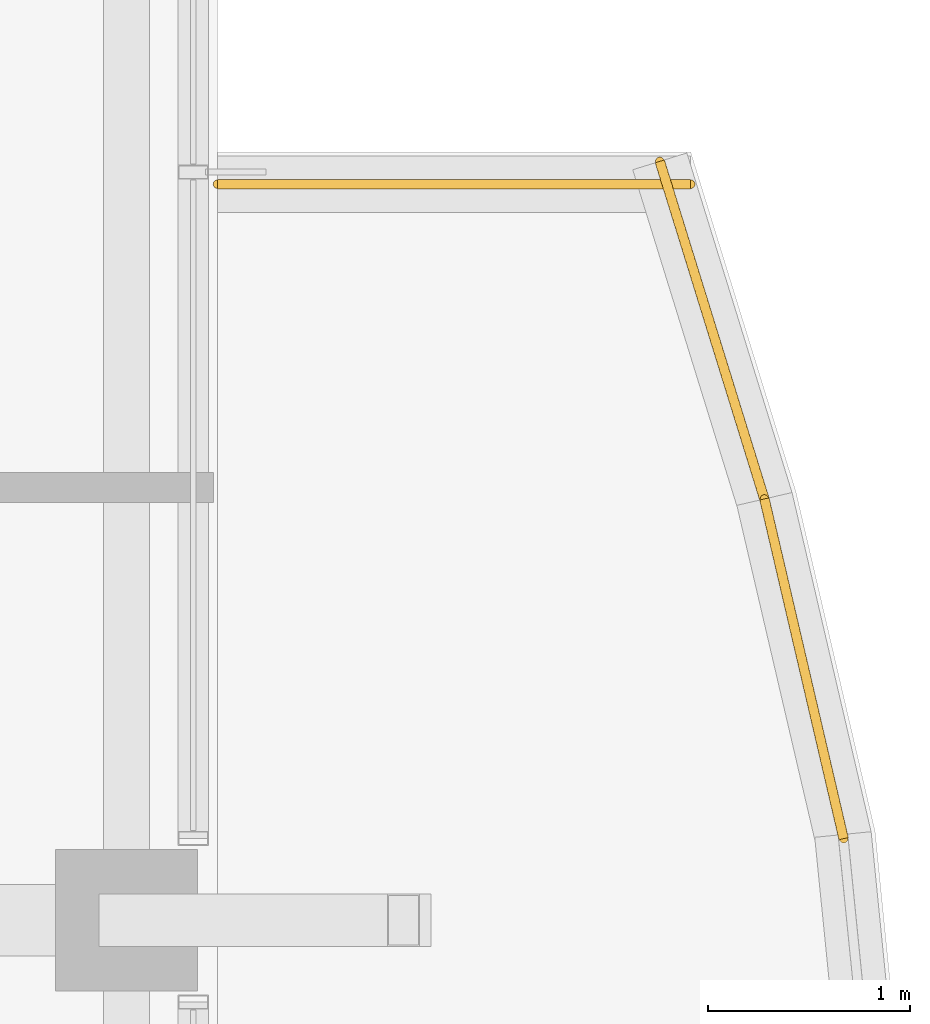
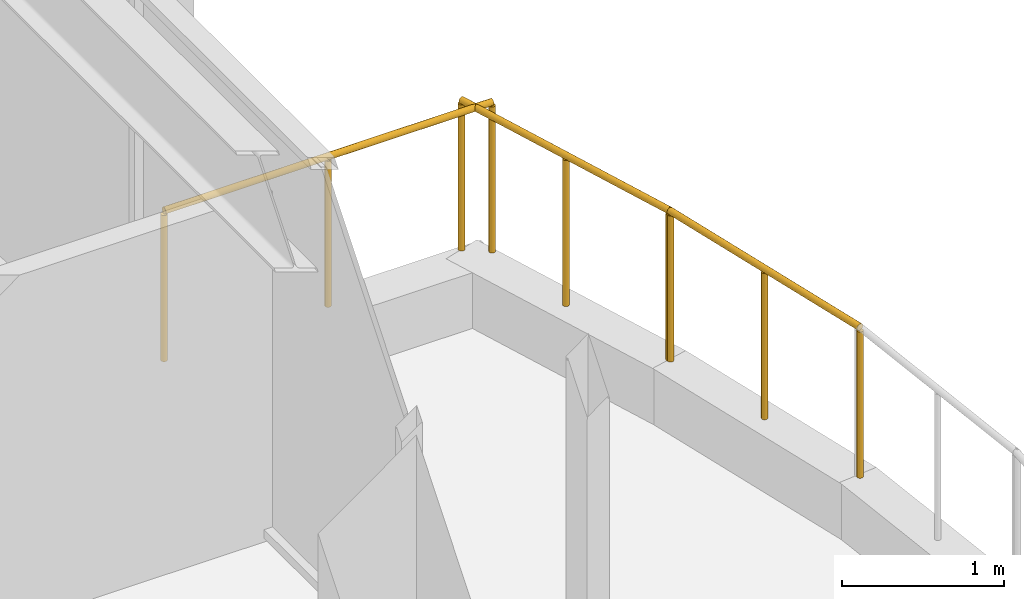
# One storey, part 29 of 29: 3 railings.
"""IFC4 building model written with IfcOpenShell, lengths in metres."""

import ifcopenshell
import ifcopenshell.guid

model = None  # the IFC model being written
_history = None  # IfcOwnerHistory: only IFC2X3 demands one
_inside = {}  # id of a spatial element -> (the spatial element, [elements in it])
_under = {}  # id of a project, library or spatial element -> (it, [spatial elements below it])
_declared = {}  # id of a project -> (the project, [libraries it declares])
_typed = {}  # id of a type object -> (the type object, [elements of that type])
_made_of = {}  # id of a material, layer set ... -> (it, [elements and type objects made of it])


def new_model(schema):
    """Start an empty IFC model of exactly this schema.

    Asked for "IFC4X3", IfcOpenShell would pick the latest addendum, in which some entities
    have other attributes; the version numbers below select the first issue.
    IFC2X3 requires an IfcOwnerHistory on every rooted entity: one is made here for all.
    """
    global model, _history
    if schema == "IFC4X3":
        model = ifcopenshell.file(schema_version=(4, 3, 0, 0))
    else:
        model = ifcopenshell.file(schema=schema)
    _inside.clear()
    _under.clear()
    _declared.clear()
    _typed.clear()
    _made_of.clear()
    _history = None
    if model.schema == "IFC2X3":
        org = make("IfcOrganization", Name="unknown")
        user = make(
            "IfcPersonAndOrganization",
            ThePerson=make("IfcPerson", FamilyName="unknown"),
            TheOrganization=org,
        )
        app = make(
            "IfcApplication",
            ApplicationDeveloper=org,
            Version="unknown",
            ApplicationFullName="unknown",
            ApplicationIdentifier="unknown",
        )
        _history = make(
            "IfcOwnerHistory",
            OwningUser=user,
            OwningApplication=app,
            ChangeAction="ADDED",
            CreationDate=0,
        )
    return model


def make(cls, **values):
    """One entity of the class cls with the attributes given. An attribute that is None is left unset."""
    return model.create_entity(
        cls, **{name: value for name, value in values.items() if value is not None}
    )


def rooted(cls, **values):
    """An entity with a GlobalId (a new one), such as an element, a storey or a relation."""
    return make(cls, GlobalId=ifcopenshell.guid.new(), OwnerHistory=_history, **values)


def si_unit(unit_type, name, prefix=None):
    """IfcSIUnit, for example si_unit("LENGTHUNIT", "METRE", prefix="MILLI")."""
    return make("IfcSIUnit", UnitType=unit_type, Prefix=prefix, Name=name)


def assignment(units):
    """IfcUnitAssignment: the units of a project."""
    return None if units is None else make("IfcUnitAssignment", Units=units)


def point(xyz):
    """IfcCartesianPoint."""
    return None if xyz is None else make("IfcCartesianPoint", Coordinates=xyz)


def direction(xyz):
    """IfcDirection."""
    return None if xyz is None else make("IfcDirection", DirectionRatios=xyz)


def frame(location, z_axis=None, x_axis=None):
    """IfcAxis2Placement3D, a coordinate frame: its origin and axes. An axis left out is left unset."""
    return make(
        "IfcAxis2Placement3D",
        Location=point(location),
        Axis=direction(z_axis),
        RefDirection=direction(x_axis),
    )


def frame_2d(location, x_axis=None):
    """IfcAxis2Placement2D, a coordinate frame in the plane: its origin and x axis."""
    return make(
        "IfcAxis2Placement2D", Location=point(location), RefDirection=direction(x_axis)
    )


def origin():
    """The frame at (0, 0, 0) with its axes left unset."""
    return frame((0.0, 0.0, 0.0))


def origin_2d():
    """The frame at (0, 0) in the plane with its x axis left unset."""
    return frame_2d((0.0, 0.0))


def place(relative_to, where):
    """IfcLocalPlacement: puts the frame where relative to a parent placement (None: the world)."""
    return make(
        "IfcLocalPlacement", PlacementRelTo=relative_to, RelativePlacement=where
    )


def context(
    kind, dimensions, precision=None, world=None, true_north=None, identifier=None
):
    """IfcGeometricRepresentationContext, for example the 3D "Model" context."""
    return make(
        "IfcGeometricRepresentationContext",
        ContextIdentifier=identifier,
        ContextType=kind,
        CoordinateSpaceDimension=dimensions,
        Precision=precision,
        WorldCoordinateSystem=world,
        TrueNorth=true_north,
    )


def subcontext(parent, identifier, kind, view, scale=None):
    """IfcGeometricRepresentationSubContext, for example "Body" below "Model"."""
    return make(
        "IfcGeometricRepresentationSubContext",
        ContextIdentifier=identifier,
        ContextType=kind,
        ParentContext=parent,
        TargetScale=scale,
        TargetView=view,
    )


def project(units=None, contexts=None):
    """IfcProject with its units and contexts."""
    return rooted(
        "IfcProject",
        Name="project",
        RepresentationContexts=contexts,
        UnitsInContext=assignment(units),
    )


def spatial(cls, under=None, at=None, **own):
    """A site, building, storey or space (cls), placed at a placement, below another one or the project."""
    s = rooted(cls, ObjectPlacement=at, **own)
    if under is not None:
        _under.setdefault(under.id(), (under, []))[1].append(s)
    return s


def profile(cls, at=None, kind="AREA", **sizes):
    """A parametric profile (cls). Its sizes go by their IFC names, for example OverallWidth=200.0."""
    return make(cls, ProfileType=kind, Position=at, **sizes)


def circle(**sizes):
    """IfcCircleProfileDef."""
    return profile("IfcCircleProfileDef", **sizes)


def extrude(swept, where, along, depth):
    """IfcExtrudedAreaSolid: the profile swept, set in the frame where, extruded along a direction by depth."""
    return make(
        "IfcExtrudedAreaSolid",
        SweptArea=swept,
        Position=where,
        ExtrudedDirection=direction(along),
        Depth=depth,
    )


def shape(context_of_items, identifier, shape_type, items):
    """IfcShapeRepresentation: the items that make up one representation, for example the "Body"."""
    return make(
        "IfcShapeRepresentation",
        ContextOfItems=context_of_items,
        RepresentationIdentifier=identifier,
        RepresentationType=shape_type,
        Items=items,
    )


def material(Name=None, Category=None):
    """IfcMaterial."""
    return make("IfcMaterial", Name=Name, Category=Category)


def made_of(thing, what):
    """Note that an element or type object is made of a material, layer set ...; save() writes the relation."""
    if what is not None:
        _made_of.setdefault(what.id(), (what, []))[1].append(thing)
    return thing


def type_object(cls, material=None, **own):
    """A type object (cls), such as IfcWallType, which elements share."""
    return made_of(rooted(cls, **own), material)


def element(
    cls,
    number,
    at=None,
    inside=None,
    cuts=None,
    type_object=None,
    material=None,
    context=None,
    identifier="Body",
    shape_type=None,
    held_by="IfcProductDefinitionShape",
    body=None,
    shapes=None,
    **own,
):
    """One element of the class cls, such as IfcWall. Its Tag is "e" and its number.

    at: its placement. inside: the storey or other place that contains it. cuts: it is an
    opening in that element (IfcRelVoidsElement). A single representation is given by context,
    identifier, shape_type and body (its items); several are given by shapes. held_by: the class
    of the entity that holds the representations. save() writes the other relations.
    """
    e = rooted(cls, Tag="e%d" % number, ObjectPlacement=at, **own)
    if body is not None:
        shapes = [shape(context, identifier, shape_type, body)]
    if shapes is not None:
        e.Representation = make(held_by, Representations=shapes)
    if inside is not None:
        _inside.setdefault(inside.id(), (inside, []))[1].append(e)
    if cuts is not None:
        rooted(
            "IfcRelVoidsElement", RelatingBuildingElement=cuts, RelatedOpeningElement=e
        )
    if type_object is not None:
        _typed.setdefault(type_object.id(), (type_object, []))[1].append(e)
    return made_of(e, material)


def aggregate(whole, parts):
    """IfcRelAggregates: a whole, such as a stair, and the parts it consists of."""
    return rooted("IfcRelAggregates", RelatingObject=whole, RelatedObjects=parts)


def save(model, path):
    """Write the relations noted so far, then the file.

    IfcRelAggregates (storeys below a building ...), IfcRelContainedInSpatialStructure (elements
    in a storey), IfcRelDefinesByType, IfcRelAssociatesMaterial and IfcRelDeclares: one each for
    every whole, place, type object, material and project.
    """
    for whole, parts in _under.values():
        aggregate(whole, parts)
    for where, things in _inside.values():
        rooted(
            "IfcRelContainedInSpatialStructure",
            RelatedElements=things,
            RelatingStructure=where,
        )
    for kind, things in _typed.values():
        rooted("IfcRelDefinesByType", RelatedObjects=things, RelatingType=kind)
    for what, things in _made_of.values():
        rooted("IfcRelAssociatesMaterial", RelatedObjects=things, RelatingMaterial=what)
    for by, libraries in _declared.values():
        rooted("IfcRelDeclares", RelatingContext=by, RelatedDefinitions=libraries)
    model.write(path)


model = new_model("IFC4")

# Units and contexts
model_context = context("Model", 3, precision=1e-05, world=origin(), true_north=direction((0.0, 1.0)))
body_context = subcontext(model_context, "Body", "Model", "MODEL_VIEW")
ifc_project = project(units=[si_unit("LENGTHUNIT", "METRE"), si_unit("AREAUNIT", "SQUARE_METRE"), si_unit("VOLUMEUNIT", "CUBIC_METRE"), si_unit("PLANEANGLEUNIT", "RADIAN"), si_unit("MASSUNIT", "GRAM", prefix="KILO")], contexts=[model_context])

# Site, building, storey
site_placement = place(None, origin())
site = spatial("IfcSite", under=ifc_project, at=site_placement, CompositionType="ELEMENT")
building_placement = place(site_placement, origin())
building = spatial("IfcBuilding", under=site, at=building_placement, Name="Kolvaren Belvedere", CompositionType="ELEMENT")
storey_placement = place(building_placement, frame((0.0, 0.0, 244.39990234375)))
storey = spatial("IfcBuildingStorey", under=building, at=storey_placement, Name="L71", CompositionType="ELEMENT", Elevation=244.39990234375)

# Railings
ifc_material = material(Name="Anodised pale-metal aluminium & laminated glass guard", Category="aluminium")
railing_type = type_object("IfcRailingType", Name="RL-GUARD-1150", PredefinedType="GUARDRAIL", material=ifc_material)
railing_1_placement = place(storey_placement, frame((21.49609375, 5.003662109375, 0.35009765625)))
element("IfcRailing", 1, at=railing_1_placement, inside=storey, type_object=railing_type, Name="L71 Exterior Deck Safety Guard BAL-E-9", PredefinedType="GUARDRAIL", context=body_context, shape_type="SweptSolid", body=[
    extrude(circle(Radius=0.02392578125, at=origin_2d()), frame((0.0, 0.0, 1.1259765625), z_axis=(-0.227019323824, 0.973890253884, 0.0), x_axis=(-0.973890253884, -0.227019323824, 0.0)), (0.0, 0.0, 1.0), 1.724853515625),
    extrude(circle(Radius=0.02099609375, at=origin_2d()), origin(), (0.0, 0.0, 1.0), 1.101806640625),
    extrude(circle(Radius=0.02099609375, at=origin_2d()), frame((-0.19580078125, 0.83984375, 0.0)), (0.0, 0.0, 1.0), 1.101806640625),
    extrude(circle(Radius=0.02099609375, at=origin_2d()), frame((-0.3916015625, 1.679931640625, 0.0)), (0.0, 0.0, 1.0), 1.101806640625),
])
railing_2_placement = place(storey_placement, frame((21.107421875, 6.672607421875, 0.35009765625)))
element("IfcRailing", 2, at=railing_2_placement, inside=storey, type_object=railing_type, Name="L71 Exterior Deck Safety Guard BAL-E-10", PredefinedType="GUARDRAIL", context=body_context, shape_type="SweptSolid", body=[
    extrude(circle(Radius=0.02392578125, at=origin_2d()), frame((0.0, 0.0, 1.1259765625), z_axis=(-0.29579229954, 0.955252278476, 0.0), x_axis=(-0.955252278476, -0.29579229954, 0.0)), (0.0, 0.0, 1.0), 1.7587890625),
    extrude(circle(Radius=0.02099609375, at=origin_2d()), origin(), (0.0, 0.0, 1.0), 1.101806640625),
    extrude(circle(Radius=0.02099609375, at=origin_2d()), frame((-0.26025390625, 0.840087890625, 0.0)), (0.0, 0.0, 1.0), 1.101806640625),
    extrude(circle(Radius=0.02099609375, at=origin_2d()), frame((-0.520263671875, 1.68017578125, 0.0)), (0.0, 0.0, 1.0), 1.101806640625),
])
railing_3_placement = place(storey_placement, frame((20.739990234375, 8.239990234375, 0.35009765625)))
element("IfcRailing", 3, at=railing_3_placement, inside=storey, type_object=railing_type, Name="L71 Exterior Deck Safety Guard BAL-E-11", PredefinedType="GUARDRAIL", context=body_context, shape_type="SweptSolid", body=[
    extrude(circle(Radius=0.02392578125, at=origin_2d()), frame((0.0, 0.0, 1.1259765625), z_axis=(-1.0, 0.0, 0.0), x_axis=(0.0, -1.0, 0.0)), (0.0, 0.0, 1.0), 2.340087890625),
    extrude(circle(Radius=0.02099609375, at=origin_2d()), origin(), (0.0, 0.0, 1.0), 1.101806640625),
    extrude(circle(Radius=0.02099609375, at=origin_2d()), frame((-1.169921875, 0.0, 0.0)), (0.0, 0.0, 1.0), 1.101806640625),
    extrude(circle(Radius=0.02099609375, at=origin_2d()), frame((-2.340087890625, 0.0, 0.0)), (0.0, 0.0, 1.0), 1.101806640625),
])

save(model, "model.ifc")
